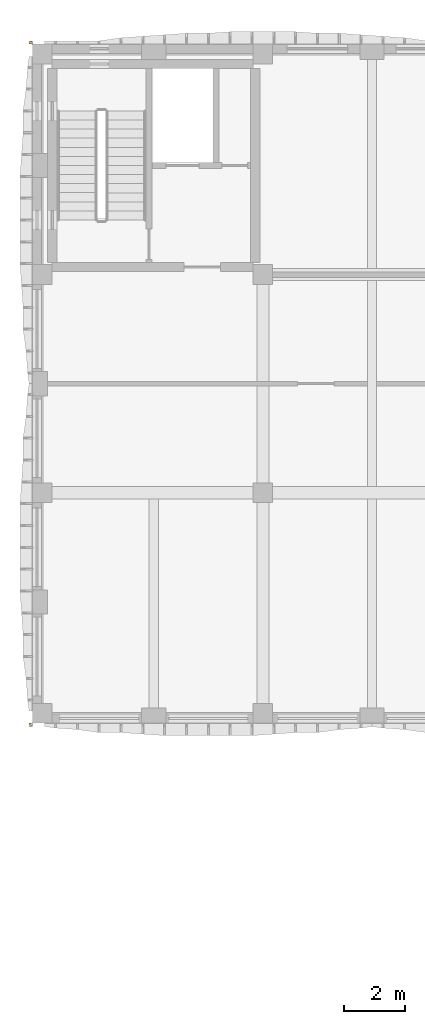
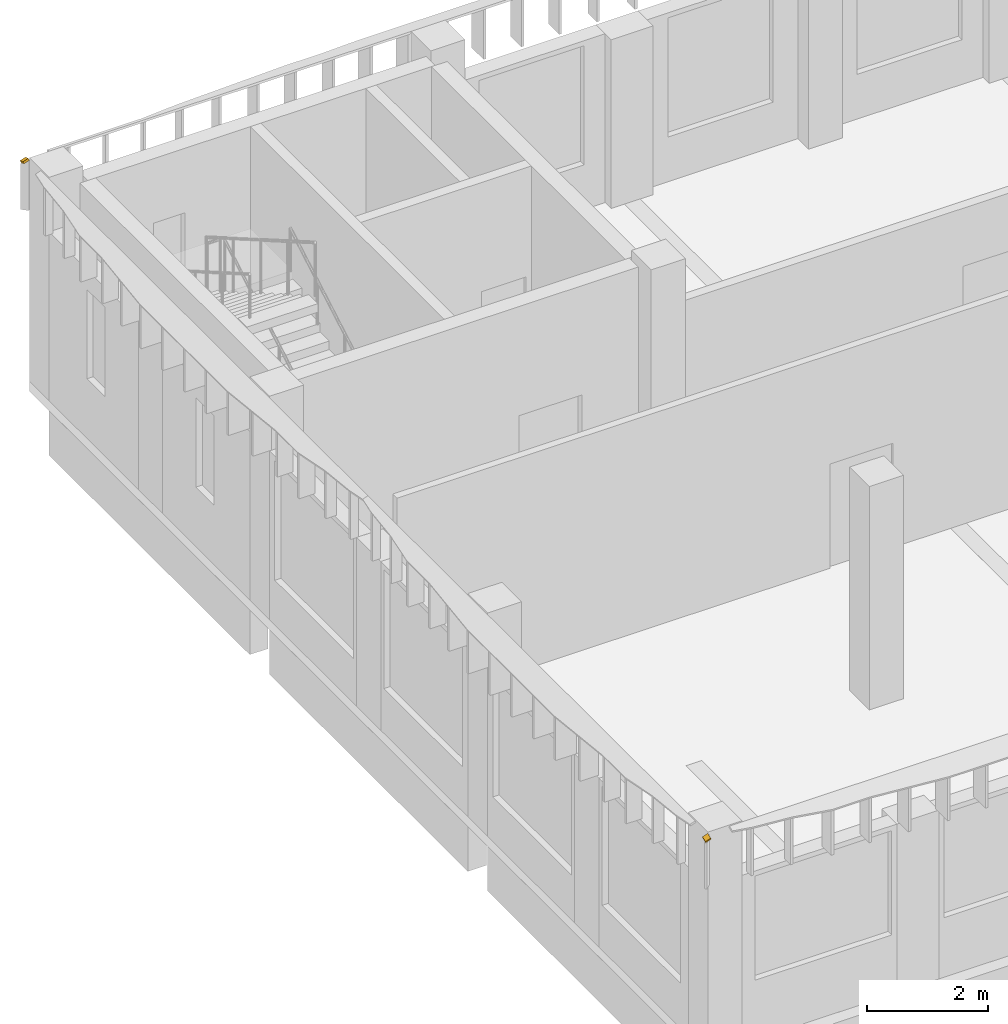
# One storey, part 53 of 54: 2 shading devices.
"""IFC4 building model written with IfcOpenShell, lengths in metres."""

from ifc_helpers import new_model, si_unit, direction, frame, origin, place, context, subcontext, project, spatial, polyline, outline, extrude, material, layer, layer_set, type_object, element, save


model = new_model("IFC4")

# Units and contexts
model_context = context("Model", 3, precision=1e-05, world=origin(), true_north=direction((0.0, 1.0)))
body_context = subcontext(model_context, "Body", "Model", "MODEL_VIEW")
ifc_project = project(units=[si_unit("LENGTHUNIT", "METRE"), si_unit("AREAUNIT", "SQUARE_METRE"), si_unit("VOLUMEUNIT", "CUBIC_METRE"), si_unit("PLANEANGLEUNIT", "RADIAN"), si_unit("MASSUNIT", "GRAM", prefix="KILO")], contexts=[model_context])

# Site, building, storey
site_placement = place(None, origin())
site = spatial("IfcSite", under=ifc_project, at=site_placement, CompositionType="ELEMENT")
building_placement = place(site_placement, origin())
building = spatial("IfcBuilding", under=site, at=building_placement, Name="Ussher Court Research Institute", CompositionType="ELEMENT")
storey_placement = place(building_placement, frame((0.0, 0.0, 14.39990234375)))
storey = spatial("IfcBuildingStorey", under=building, at=storey_placement, Name="L03", CompositionType="ELEMENT", Elevation=14.39990234375)

# Shading devices
ifc_material = material(Name="Bronze anodised aluminium", Category="aluminium")
ifc_layer = layer(ifc_material, 0.0400390625)
ifc_layer_set = layer_set([ifc_layer], Name="Bronze anodised aluminium")
shading_device_type = type_object("IfcShadingDeviceType", Name="Brim visor sheet 40 mm canted 20 deg dry", PredefinedType="USERDEFINED", material=ifc_layer_set)
shading_device_1_placement = place(storey_placement, frame((2.587158203125, 90.81298828125, 4.485595703125), z_axis=(-0.323142227815, 0.323932306611, 0.889183311436), x_axis=(0.0, 0.939592038002, -0.342296365922)))
element("IfcShadingDevice", 1, at=shading_device_1_placement, inside=storey, type_object=shading_device_type, Name="Brim visor sheet BR2 L03", ObjectType="BRIM", PredefinedType="USERDEFINED", context=body_context, shape_type="SweptSolid", body=[
    extrude(outline(polyline([(0.0, 0.0), (0.10627326710575227, 0.0), (0.11872496596376943, 0.10577229647195369), (0.012451698858017153, 0.10577229647195369), (0.0, 0.0)])), origin(), (0.0, 0.0, -1.0), 0.0400390625),
])
shading_device_2_placement = place(storey_placement, frame((2.587158203125, 68.38720703125, 4.485595703125), z_axis=(-0.323224861095, -0.323224861095, 0.889410691604), x_axis=(-0.939860335167, 0.0, -0.341558999853)))
element("IfcShadingDevice", 2, at=shading_device_2_placement, inside=storey, type_object=shading_device_type, Name="Brim visor sheet BR2 L03", ObjectType="BRIM", PredefinedType="USERDEFINED", context=body_context, shape_type="SweptSolid", body=[
    extrude(outline(polyline([(0.0, 0.0), (0.10650269247958763, -1.734723475976807e-18), (0.11892756820666907, 0.10577545068950636), (0.01242487572708144, 0.10577545068950638), (0.0, 0.0)])), origin(), (0.0, 0.0, -1.0), 0.0400390625),
])

save(model, "model.ifc")
